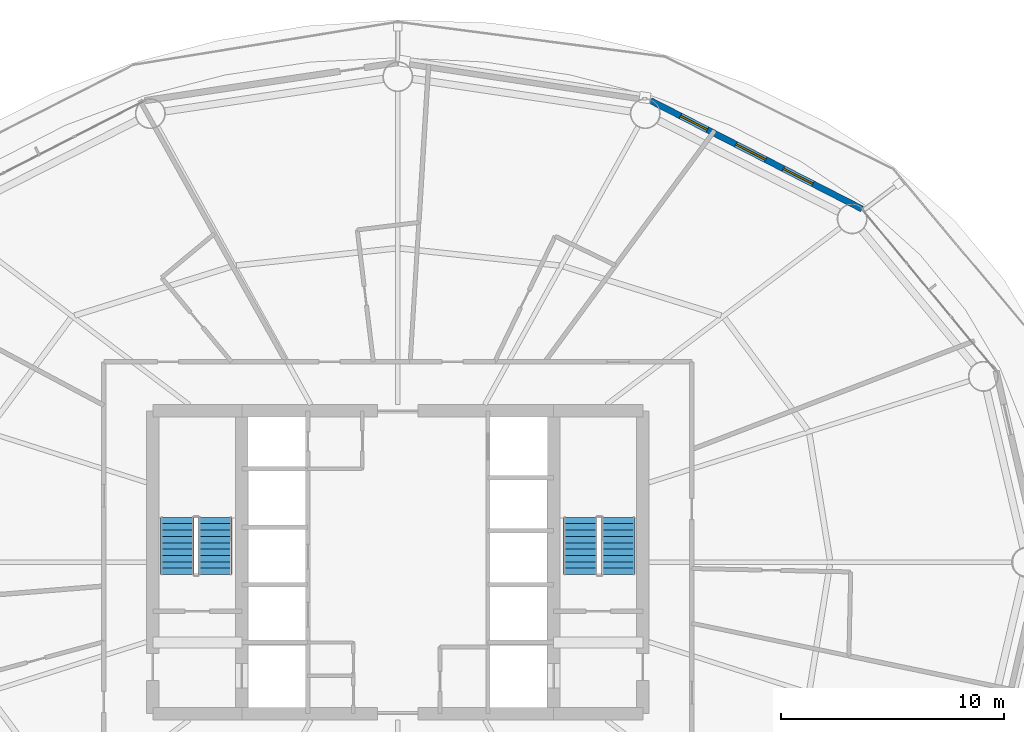
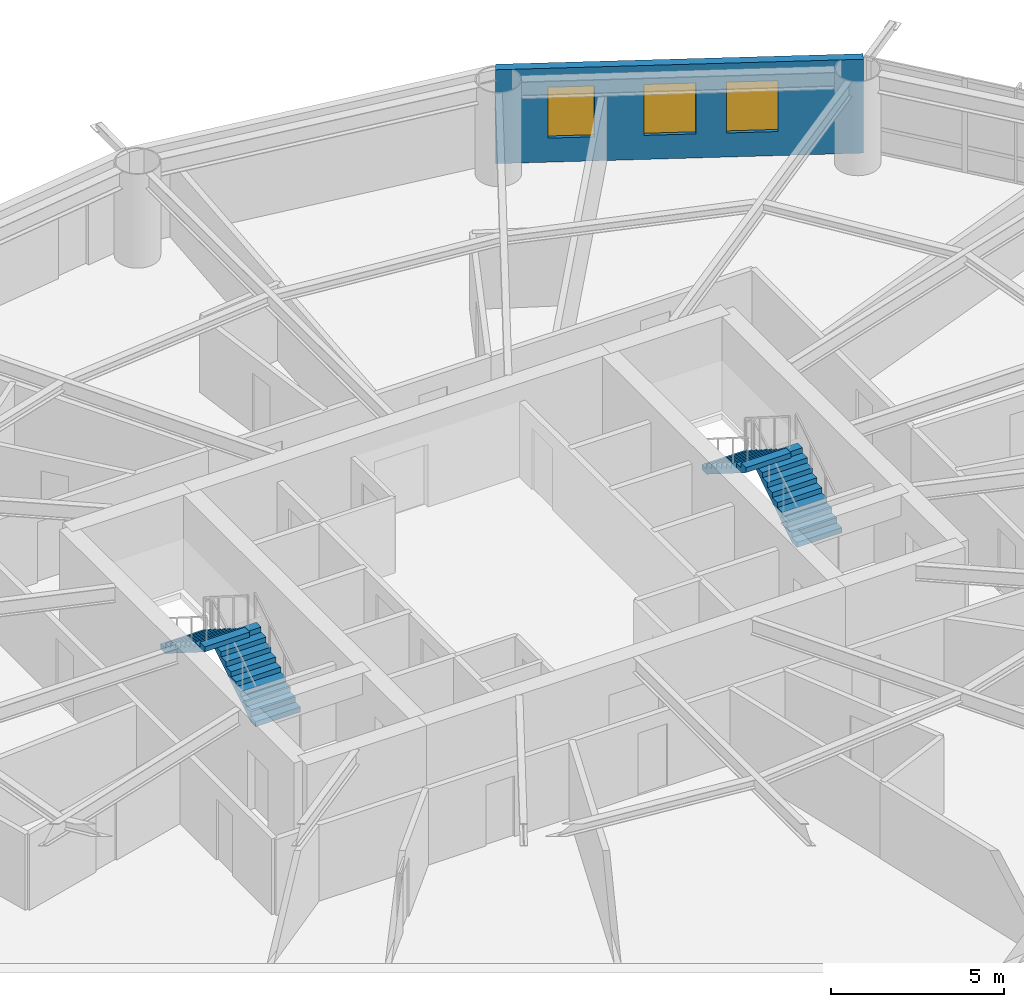
# One storey, part 21 of 24: 4 stair flights, 3 windows, 1 wall, 3 openings, 2 elements without a shape of their own.
"""IFC4 building model written with IfcOpenShell, lengths in metres."""

from ifc_helpers import new_model, si_unit, direction, frame, frame_2d, origin, place, context, subcontext, project, spatial, polyline, rectangle, outline, extrude, material, layer, layer_set, type_object, element, fill, aggregate, save


model = new_model("IFC4")

# Units and contexts
model_context = context("Model", 3, precision=1e-05, world=origin(), true_north=direction((0.0, 1.0)))
body_context = subcontext(model_context, "Body", "Model", "MODEL_VIEW")
ifc_project = project(units=[si_unit("LENGTHUNIT", "METRE"), si_unit("AREAUNIT", "SQUARE_METRE"), si_unit("VOLUMEUNIT", "CUBIC_METRE"), si_unit("PLANEANGLEUNIT", "RADIAN"), si_unit("MASSUNIT", "GRAM", prefix="KILO")], contexts=[model_context])

# Site, building, storey
site_placement = place(None, origin())
site = spatial("IfcSite", under=ifc_project, at=site_placement, CompositionType="ELEMENT")
building_placement = place(site_placement, origin())
building = spatial("IfcBuilding", under=site, at=building_placement, Name="Sarneth Arch Tower", CompositionType="ELEMENT")
storey_placement = place(building_placement, frame((0.0, 0.0, 130.800048828125)))
storey = spatial("IfcBuildingStorey", under=building, at=storey_placement, Name="L33", CompositionType="ELEMENT", Elevation=130.800048828125)

# Wall, openings, windows
ifc_material_1 = material(Name="Extruded terracotta rainscreen on Concrete C40/50 backing", Category="masonry")
ifc_layer = layer(ifc_material_1, 0.280029296875)
ifc_layer_set = layer_set([ifc_layer], Name="Extruded terracotta rainscreen on Concrete C40/50 backing")
wall_type = type_object("IfcWallType", Name="WALL-EXT-TERRA-280", PredefinedType="SOLIDWALL", material=ifc_layer_set)
wall_placement = place(storey_placement, frame((68.840087890625, 57.8603515625, 0.0), z_axis=(0.0, 0.0, 1.0), x_axis=(-0.889959505023, 0.45603955905, 0.0)))
wall = element("IfcWall", 1, at=wall_placement, inside=storey, type_object=wall_type, Name="L33 Terracotta perimeter wall 03", PredefinedType="SOLIDWALL", context=body_context, shape_type="SweptSolid", body=[
    extrude(rectangle(XDim=10.662109375, YDim=0.280029296875, at=frame_2d((5.3310546875, 0.0))), origin(), (0.0, 0.0, 1.0), 3.320068359375),
])
opening_1_placement = place(wall_placement, frame((2.47509765625, 0.0, 0.85009765625)))
opening_1 = element("IfcOpeningElement", 2, at=opening_1_placement, cuts=wall, Name="Opening W-07", PredefinedType="OPENING", context=body_context, shape_type="SweptSolid", body=[
    extrude(rectangle(XDim=1.5, YDim=1.800048828125, at=frame_2d((0.75, 0.89990234375))), frame((0.0, 0.14990234375, 0.0), z_axis=(0.0, -1.0, 0.0), x_axis=(1.0, 0.0, 0.0)), (0.0, 0.0, 1.0), 0.300048828125),
])
opening_2_placement = place(wall_placement, frame((4.859619140625, 0.0, 0.85009765625)))
opening_2 = element("IfcOpeningElement", 3, at=opening_2_placement, cuts=wall, Name="Opening W-07", PredefinedType="OPENING", context=body_context, shape_type="SweptSolid", body=[
    extrude(rectangle(XDim=1.5, YDim=1.800048828125, at=frame_2d((0.75, 0.89990234375))), frame((0.0, 0.14990234375, 0.0), z_axis=(0.0, -1.0, 0.0), x_axis=(1.0, 0.0, 0.0)), (0.0, 0.0, 1.0), 0.300048828125),
])
opening_3_placement = place(wall_placement, frame((7.802734375, 0.0, 0.85009765625)))
opening_3 = element("IfcOpeningElement", 4, at=opening_3_placement, cuts=wall, Name="Opening W-08", PredefinedType="OPENING", context=body_context, shape_type="SweptSolid", body=[
    extrude(rectangle(XDim=1.35009765625, YDim=1.800048828125, at=frame_2d((0.675048828125, 0.89990234375))), frame((0.0, 0.14990234375, 0.0), z_axis=(0.0, -1.0, 0.0), x_axis=(1.0, 0.0, 0.0)), (0.0, 0.0, 1.0), 0.300048828125),
])
ifc_material_2 = material(Name="Thermally broken Aluminium 6063-T6 and low-e laminated IGU", Category="aluminium")
window_type_1 = type_object("IfcWindowType", Name="WIN-TWR-1350x1800", PartitioningType="SINGLE_PANEL", PredefinedType="WINDOW", material=ifc_material_2)
window_1_placement = place(opening_3_placement, origin())
window_1 = element("IfcWindow", 5, at=window_1_placement, inside=storey, type_object=window_type_1, Name="L33 Exterior window 03C", OverallHeight=1.800048828125, OverallWidth=1.35009765625, PartitioningType="SINGLE_PANEL", PredefinedType="WINDOW", context=body_context, shape_type="SweptSolid", body=[
    extrude(rectangle(XDim=1.35009765625, YDim=1.800048828125, at=frame_2d((0.675048828125, 0.89990234375))), frame((0.0, 0.030029296875, 0.0), z_axis=(0.0, -1.0, 0.0), x_axis=(1.0, 0.0, 0.0)), (0.0, 0.0, 1.0), 0.06005859375),
])
fill(opening_3, window_1)
ifc_material_3 = material(Name="Thermally broken Aluminium 6063-T6 and low-e laminated IGU", Category="aluminium")
window_type_2 = type_object("IfcWindowType", Name="WIN-TWR-1500x1800", PartitioningType="SINGLE_PANEL", PredefinedType="WINDOW", material=ifc_material_3)
window_2_placement = place(opening_1_placement, origin())
window_2 = element("IfcWindow", 6, at=window_2_placement, inside=storey, type_object=window_type_2, Name="L33 Exterior window 03A", OverallHeight=1.800048828125, OverallWidth=1.5, PartitioningType="SINGLE_PANEL", PredefinedType="WINDOW", context=body_context, shape_type="SweptSolid", body=[
    extrude(rectangle(XDim=1.5, YDim=1.800048828125, at=frame_2d((0.75, 0.89990234375))), frame((0.0, 0.030029296875, 0.0), z_axis=(0.0, -1.0, 0.0), x_axis=(1.0, 0.0, 0.0)), (0.0, 0.0, 1.0), 0.06005859375),
])
fill(opening_1, window_2)
window_3_placement = place(opening_2_placement, origin())
window_3 = element("IfcWindow", 7, at=window_3_placement, inside=storey, type_object=window_type_2, Name="L33 Exterior window 03B", OverallHeight=1.800048828125, OverallWidth=1.5, PartitioningType="SINGLE_PANEL", PredefinedType="WINDOW", context=body_context, shape_type="SweptSolid", body=[
    extrude(rectangle(XDim=1.5, YDim=1.800048828125, at=frame_2d((0.75, 0.89990234375))), frame((0.0, 0.030029296875, 0.0), z_axis=(0.0, -1.0, 0.0), x_axis=(1.0, 0.0, 0.0)), (0.0, 0.0, 1.0), 0.06005859375),
])
fill(opening_2, window_3)

# Stair, stair flights
ifc_material_4 = material(Name="Concrete C50/60", Category="concrete")
stair_type = type_object("IfcStairType", Name="STAIR-CORE-RC", PredefinedType="HALF_TURN_STAIR", material=ifc_material_4)
stair_1_placement = place(storey_placement, origin())
stair_1 = element("IfcStair", 8, at=stair_1_placement, inside=storey, type_object=stair_type, Name="L33 Core Exit Stair 1", PredefinedType="HALF_TURN_STAIR")
ifc_material_5 = material(Name="Concrete C50/60", Category="concrete")
stair_flight_type = type_object("IfcStairFlightType", Name="FLIGHT-RC-1500", PredefinedType="STRAIGHT", material=ifc_material_5)
stair_flight_1_placement = place(storey_placement, frame((39.800048828125, 41.449951171875, 0.0), z_axis=(0.0, 0.0, 1.0), x_axis=(0.0, 1.0, 0.0)))
stair_flight_1 = element("IfcStairFlight", 9, at=stair_flight_1_placement, type_object=stair_flight_type, Name="ST-1 flight 1", NumberOfRisers=10, NumberOfTreads=9, PredefinedType="STRAIGHT", RiserHeight=0.18, TreadLength=0.285, context=body_context, shape_type="SweptSolid", body=[
    extrude(outline(polyline([(0.0, 0.0), (0.0, 0.179931640625), (0.284912109375, 0.179931640625), (0.284912109375, 0.360107421875), (0.570068359375, 0.360107421875), (0.570068359375, 0.5400390625), (0.85498046875, 0.5400390625), (0.85498046875, 0.719970703125), (1.139892578125, 0.719970703125), (1.139892578125, 0.89990234375), (1.425048828125, 0.89990234375), (1.425048828125, 1.080078125), (1.7099609375, 1.080078125), (1.7099609375, 1.260009765625), (1.9951171875, 1.260009765625), (1.9951171875, 1.43994140625), (2.280029296875, 1.43994140625), (2.280029296875, 1.6201171875), (2.56494140625, 1.6201171875), (2.56494140625, 1.800048828125), (2.56494140625, 1.442626953125), (0.28076171875, 0.0), (0.0, 0.0)])), frame((0.0, 0.75, 0.0), z_axis=(0.0, -1.0, 0.0), x_axis=(1.0, 0.0, 0.0)), (0.0, 0.0, 1.0), 1.5),
])
stair_flight_2_placement = place(storey_placement, frame((38.10009765625, 44.014892578125, 1.800048828125), z_axis=(0.0, 0.0, 1.0), x_axis=(0.0, -1.0, 0.0)))
stair_flight_2 = element("IfcStairFlight", 10, at=stair_flight_2_placement, type_object=stair_flight_type, Name="ST-1 flight 2", NumberOfRisers=10, NumberOfTreads=9, PredefinedType="STRAIGHT", RiserHeight=0.18, TreadLength=0.285, context=body_context, shape_type="SweptSolid", body=[
    extrude(outline(polyline([(0.0, 0.0), (0.0, 0.179931640625), (0.284912109375, 0.179931640625), (0.284912109375, 0.360107421875), (0.570068359375, 0.360107421875), (0.570068359375, 0.5400390625), (0.85498046875, 0.5400390625), (0.85498046875, 0.719970703125), (1.139892578125, 0.719970703125), (1.139892578125, 0.89990234375), (1.425048828125, 0.89990234375), (1.425048828125, 1.080078125), (1.7099609375, 1.080078125), (1.7099609375, 1.260009765625), (1.9951171875, 1.260009765625), (1.9951171875, 1.43994140625), (2.280029296875, 1.43994140625), (2.280029296875, 1.6201171875), (2.56494140625, 1.6201171875), (2.56494140625, 1.800048828125), (2.56494140625, 1.442626953125), (0.28076171875, 0.0), (0.0, 0.0)])), frame((0.0, 0.75, 0.0), z_axis=(0.0, -1.0, 0.0), x_axis=(1.0, 0.0, 0.0)), (0.0, 0.0, 1.0), 1.5),
])
aggregate(stair_1, [stair_flight_1, stair_flight_2])

stair_2_placement = place(storey_placement, origin())
stair_2 = element("IfcStair", 11, at=stair_2_placement, inside=storey, type_object=stair_type, Name="L33 Core Exit Stair 2", PredefinedType="HALF_TURN_STAIR")
stair_flight_3_placement = place(storey_placement, frame((57.89990234375, 41.449951171875, 0.0), z_axis=(0.0, 0.0, 1.0), x_axis=(0.0, 1.0, 0.0)))
stair_flight_3 = element("IfcStairFlight", 12, at=stair_flight_3_placement, type_object=stair_flight_type, Name="ST-2 flight 1", NumberOfRisers=10, NumberOfTreads=9, PredefinedType="STRAIGHT", RiserHeight=0.18, TreadLength=0.285, context=body_context, shape_type="SweptSolid", body=[
    extrude(outline(polyline([(0.0, 0.0), (0.0, 0.179931640625), (0.284912109375, 0.179931640625), (0.284912109375, 0.360107421875), (0.570068359375, 0.360107421875), (0.570068359375, 0.5400390625), (0.85498046875, 0.5400390625), (0.85498046875, 0.719970703125), (1.139892578125, 0.719970703125), (1.139892578125, 0.89990234375), (1.425048828125, 0.89990234375), (1.425048828125, 1.080078125), (1.7099609375, 1.080078125), (1.7099609375, 1.260009765625), (1.9951171875, 1.260009765625), (1.9951171875, 1.43994140625), (2.280029296875, 1.43994140625), (2.280029296875, 1.6201171875), (2.56494140625, 1.6201171875), (2.56494140625, 1.800048828125), (2.56494140625, 1.442626953125), (0.28076171875, 0.0), (0.0, 0.0)])), frame((0.0, 0.75, 0.0), z_axis=(0.0, -1.0, 0.0), x_axis=(1.0, 0.0, 0.0)), (0.0, 0.0, 1.0), 1.5),
])
stair_flight_4_placement = place(storey_placement, frame((56.199951171875, 44.014892578125, 1.800048828125), z_axis=(0.0, 0.0, 1.0), x_axis=(0.0, -1.0, 0.0)))
stair_flight_4 = element("IfcStairFlight", 13, at=stair_flight_4_placement, type_object=stair_flight_type, Name="ST-2 flight 2", NumberOfRisers=10, NumberOfTreads=9, PredefinedType="STRAIGHT", RiserHeight=0.18, TreadLength=0.285, context=body_context, shape_type="SweptSolid", body=[
    extrude(outline(polyline([(0.0, 0.0), (0.0, 0.179931640625), (0.284912109375, 0.179931640625), (0.284912109375, 0.360107421875), (0.570068359375, 0.360107421875), (0.570068359375, 0.5400390625), (0.85498046875, 0.5400390625), (0.85498046875, 0.719970703125), (1.139892578125, 0.719970703125), (1.139892578125, 0.89990234375), (1.425048828125, 0.89990234375), (1.425048828125, 1.080078125), (1.7099609375, 1.080078125), (1.7099609375, 1.260009765625), (1.9951171875, 1.260009765625), (1.9951171875, 1.43994140625), (2.280029296875, 1.43994140625), (2.280029296875, 1.6201171875), (2.56494140625, 1.6201171875), (2.56494140625, 1.800048828125), (2.56494140625, 1.442626953125), (0.28076171875, 0.0), (0.0, 0.0)])), frame((0.0, 0.75, 0.0), z_axis=(0.0, -1.0, 0.0), x_axis=(1.0, 0.0, 0.0)), (0.0, 0.0, 1.0), 1.5),
])
aggregate(stair_2, [stair_flight_3, stair_flight_4])

save(model, "model.ifc")
